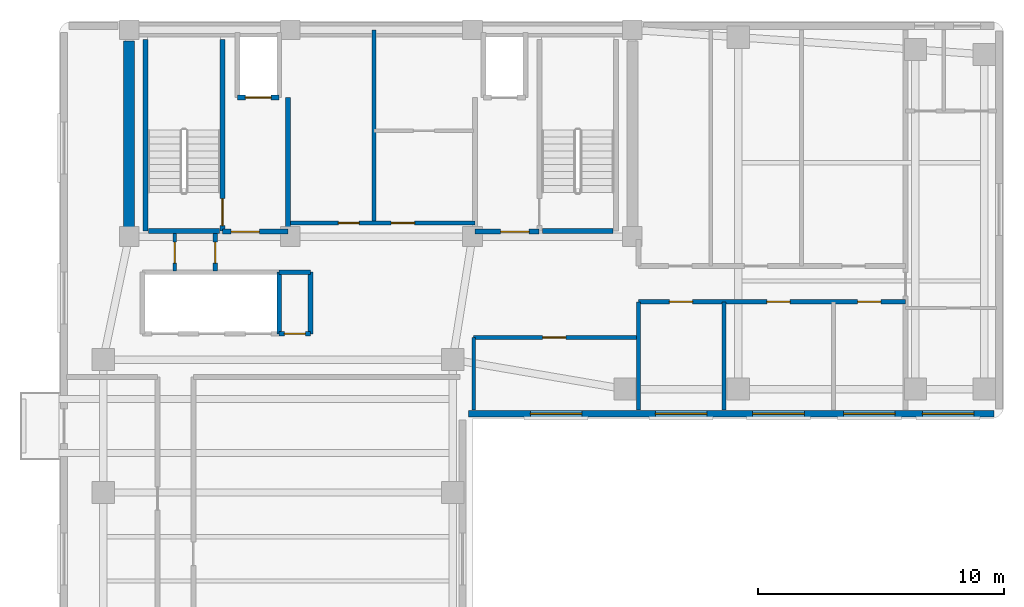
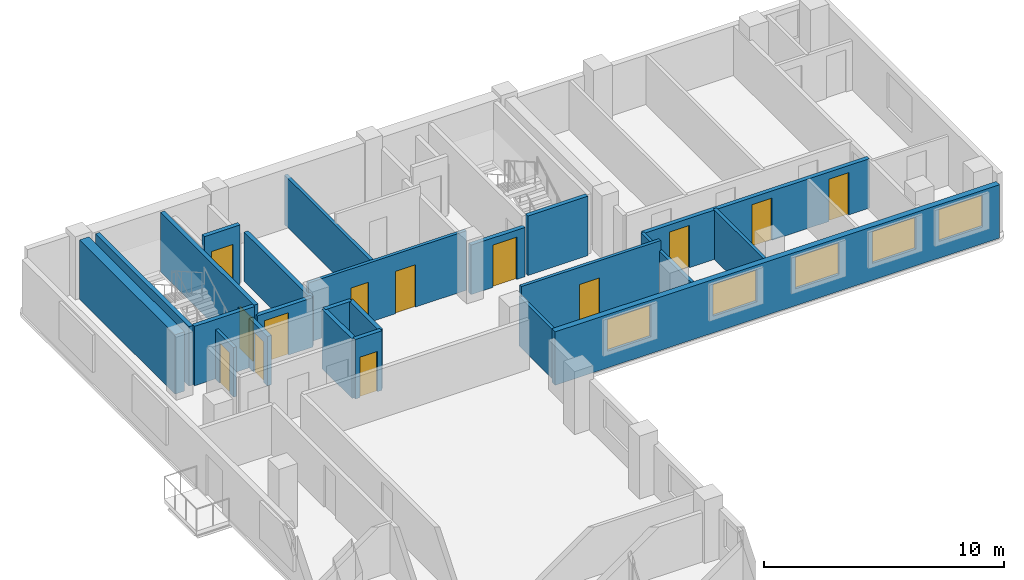
# One storey, part 3 of 7: 23 walls, 13 doors, 5 windows, 18 openings.
"""IFC4 building model written with IfcOpenShell, lengths in metres."""

from ifc_helpers import new_model, si_unit, direction, frame, frame_2d, origin, place, context, subcontext, project, spatial, rectangle, extrude, material, layer, layer_set, type_object, element, fill, save


model = new_model("IFC4")

# Units and contexts
model_context = context("Model", 3, precision=1e-05, world=origin(), true_north=direction((0.0, 1.0)))
body_context = subcontext(model_context, "Body", "Model", "MODEL_VIEW")
ifc_project = project(units=[si_unit("LENGTHUNIT", "METRE"), si_unit("AREAUNIT", "SQUARE_METRE"), si_unit("VOLUMEUNIT", "CUBIC_METRE"), si_unit("PLANEANGLEUNIT", "RADIAN"), si_unit("MASSUNIT", "GRAM", prefix="KILO")], contexts=[model_context])

# Site, building, storey
site_placement = place(None, origin())
site = spatial("IfcSite", under=ifc_project, at=site_placement, CompositionType="ELEMENT")
building_placement = place(site_placement, origin())
building = spatial("IfcBuilding", under=site, at=building_placement, Name="Kuzgunbayir Cultural Tower", CompositionType="ELEMENT")
storey_placement = place(building_placement, frame((0.0, 0.0, 192.0)))
storey = spatial("IfcBuildingStorey", under=building, at=storey_placement, Name="L56", CompositionType="ELEMENT", Elevation=192.0)

# Wall
ifc_material_1 = material(Name="Concrete C50/60", Category="concrete")
ifc_layer_1 = layer(ifc_material_1, 0.449951171875)
ifc_layer_set_1 = layer_set([ifc_layer_1], Name="Concrete C50/60")
wall_type_1 = type_object("IfcWallType", Name="WAL-CORE-450", PredefinedType="SHEAR", material=ifc_layer_set_1)
wall_1_placement = place(storey_placement, frame((6.449951171875, 33.800048828125, 0.0), z_axis=(0.0, 0.0, 1.0), x_axis=(0.0, 1.0, 0.0)))
element("IfcWall", 1, at=wall_1_placement, inside=storey, type_object=wall_type_1, Name="L56 T1 Core West Shear Wall", PredefinedType="SHEAR", context=body_context, shape_type="SweptSolid", body=[
    extrude(rectangle(XDim=7.949951171875, YDim=0.449951171875, at=frame_2d((3.97509765625, 0.0))), origin(), (0.0, 0.0, 1.0), 3.02001953125),
])

# Wall, openings, windows
ifc_material_2 = material(Name="Anatolian Cream Limestone", Category="masonry")
ifc_layer_2 = layer(ifc_material_2, 0.280029296875)
ifc_layer_set_2 = layer_set([ifc_layer_2], Name="Anatolian Cream Limestone")
wall_type_2 = type_object("IfcWallType", Name="WAL-EXT-STONE-280", PredefinedType="STANDARD", material=ifc_layer_set_2)
wall_2_placement = place(storey_placement, frame((20.25, 26.60009765625, 0.0), z_axis=(0.0, 0.0, 1.0), x_axis=(1.0, 0.0, 0.0)))
wall_2 = element("IfcWall", 2, at=wall_2_placement, inside=storey, type_object=wall_type_2, Name="L56 Wing B South Limestone Wall", PredefinedType="STANDARD", context=body_context, shape_type="SweptSolid", body=[
    extrude(rectangle(XDim=21.35009765625, YDim=0.280029296875, at=frame_2d((10.675048828125, 0.0))), origin(), (0.0, 0.0, 1.0), 2.7099609375),
])
opening_1_placement = place(wall_2_placement, frame((2.5, 0.0, 0.85009765625)))
opening_1 = element("IfcOpeningElement", 3, at=opening_1_placement, cuts=wall_2, Name="Opening WR-21", PredefinedType="OPENING", context=body_context, shape_type="SweptSolid", body=[
    extrude(rectangle(XDim=2.10009765625, YDim=1.610107421875, at=frame_2d((1.050048828125, 0.80517578125))), frame((0.0, 0.14990234375, 0.0), z_axis=(0.0, -1.0, 0.0), x_axis=(1.0, 0.0, 0.0)), (0.0, 0.0, 1.0), 0.300048828125),
])
opening_2_placement = place(wall_2_placement, frame((18.429931640625, 0.0, 0.85009765625)))
opening_2 = element("IfcOpeningElement", 4, at=opening_2_placement, cuts=wall_2, Name="Opening WR-21", PredefinedType="OPENING", context=body_context, shape_type="SweptSolid", body=[
    extrude(rectangle(XDim=2.10009765625, YDim=1.610107421875, at=frame_2d((1.050048828125, 0.80517578125))), frame((0.0, 0.14990234375, 0.0), z_axis=(0.0, -1.0, 0.0), x_axis=(1.0, 0.0, 0.0)), (0.0, 0.0, 1.0), 0.300048828125),
])
opening_3_placement = place(wall_2_placement, frame((7.580078125, 0.0, 0.85009765625)))
opening_3 = element("IfcOpeningElement", 5, at=opening_3_placement, cuts=wall_2, Name="Opening WR-21", PredefinedType="OPENING", context=body_context, shape_type="SweptSolid", body=[
    extrude(rectangle(XDim=2.10009765625, YDim=1.610107421875, at=frame_2d((1.050048828125, 0.80517578125))), frame((0.0, 0.14990234375, 0.0), z_axis=(0.0, -1.0, 0.0), x_axis=(1.0, 0.0, 0.0)), (0.0, 0.0, 1.0), 0.300048828125),
])
opening_4_placement = place(wall_2_placement, frame((11.5400390625, 0.0, 0.85009765625)))
opening_4 = element("IfcOpeningElement", 6, at=opening_4_placement, cuts=wall_2, Name="Opening WR-21", PredefinedType="OPENING", context=body_context, shape_type="SweptSolid", body=[
    extrude(rectangle(XDim=2.10009765625, YDim=1.610107421875, at=frame_2d((1.050048828125, 0.80517578125))), frame((0.0, 0.14990234375, 0.0), z_axis=(0.0, -1.0, 0.0), x_axis=(1.0, 0.0, 0.0)), (0.0, 0.0, 1.0), 0.300048828125),
])
opening_5_placement = place(wall_2_placement, frame((15.22998046875, 0.0, 0.85009765625)))
opening_5 = element("IfcOpeningElement", 7, at=opening_5_placement, cuts=wall_2, Name="Opening WR-21", PredefinedType="OPENING", context=body_context, shape_type="SweptSolid", body=[
    extrude(rectangle(XDim=2.10009765625, YDim=1.610107421875, at=frame_2d((1.050048828125, 0.80517578125))), frame((0.0, 0.14990234375, 0.0), z_axis=(0.0, -1.0, 0.0), x_axis=(1.0, 0.0, 0.0)), (0.0, 0.0, 1.0), 0.300048828125),
])
ifc_material_3 = material(Name="Solar-Control Triple Glazing", Category="glass")
window_type = type_object("IfcWindowType", Name="WIN-RESID-21", PartitioningType="SINGLE_PANEL", PredefinedType="WINDOW", material=ifc_material_3)
window_1_placement = place(opening_1_placement, origin())
window_1 = element("IfcWindow", 8, at=window_1_placement, inside=storey, type_object=window_type, Name="L56 WBS Facade Window 1", OverallHeight=1.610107421875, OverallWidth=2.10009765625, PartitioningType="SINGLE_PANEL", PredefinedType="WINDOW", context=body_context, shape_type="SweptSolid", body=[
    extrude(rectangle(XDim=2.10009765625, YDim=1.610107421875, at=frame_2d((1.050048828125, 0.80517578125))), frame((0.0, 0.030029296875, 0.0), z_axis=(0.0, -1.0, 0.0), x_axis=(1.0, 0.0, 0.0)), (0.0, 0.0, 1.0), 0.06005859375),
])
fill(opening_1, window_1)
window_2_placement = place(opening_2_placement, origin())
window_2 = element("IfcWindow", 9, at=window_2_placement, inside=storey, type_object=window_type, Name="L56 WBS Facade Window 7", OverallHeight=1.610107421875, OverallWidth=2.10009765625, PartitioningType="SINGLE_PANEL", PredefinedType="WINDOW", context=body_context, shape_type="SweptSolid", body=[
    extrude(rectangle(XDim=2.10009765625, YDim=1.610107421875, at=frame_2d((1.050048828125, 0.80517578125))), frame((0.0, 0.030029296875, 0.0), z_axis=(0.0, -1.0, 0.0), x_axis=(1.0, 0.0, 0.0)), (0.0, 0.0, 1.0), 0.06005859375),
])
fill(opening_2, window_2)
window_3_placement = place(opening_3_placement, origin())
window_3 = element("IfcWindow", 10, at=window_3_placement, inside=storey, type_object=window_type, Name="L56 WBS Facade Window 10", OverallHeight=1.610107421875, OverallWidth=2.10009765625, PartitioningType="SINGLE_PANEL", PredefinedType="WINDOW", context=body_context, shape_type="SweptSolid", body=[
    extrude(rectangle(XDim=2.10009765625, YDim=1.610107421875, at=frame_2d((1.050048828125, 0.80517578125))), frame((0.0, 0.030029296875, 0.0), z_axis=(0.0, -1.0, 0.0), x_axis=(1.0, 0.0, 0.0)), (0.0, 0.0, 1.0), 0.06005859375),
])
fill(opening_3, window_3)
window_4_placement = place(opening_4_placement, origin())
window_4 = element("IfcWindow", 11, at=window_4_placement, inside=storey, type_object=window_type, Name="L56 WBS Facade Window 11", OverallHeight=1.610107421875, OverallWidth=2.10009765625, PartitioningType="SINGLE_PANEL", PredefinedType="WINDOW", context=body_context, shape_type="SweptSolid", body=[
    extrude(rectangle(XDim=2.10009765625, YDim=1.610107421875, at=frame_2d((1.050048828125, 0.80517578125))), frame((0.0, 0.030029296875, 0.0), z_axis=(0.0, -1.0, 0.0), x_axis=(1.0, 0.0, 0.0)), (0.0, 0.0, 1.0), 0.06005859375),
])
fill(opening_4, window_4)
window_5_placement = place(opening_5_placement, origin())
window_5 = element("IfcWindow", 12, at=window_5_placement, inside=storey, type_object=window_type, Name="L56 WBS Facade Window 12", OverallHeight=1.610107421875, OverallWidth=2.10009765625, PartitioningType="SINGLE_PANEL", PredefinedType="WINDOW", context=body_context, shape_type="SweptSolid", body=[
    extrude(rectangle(XDim=2.10009765625, YDim=1.610107421875, at=frame_2d((1.050048828125, 0.80517578125))), frame((0.0, 0.030029296875, 0.0), z_axis=(0.0, -1.0, 0.0), x_axis=(1.0, 0.0, 0.0)), (0.0, 0.0, 1.0), 0.06005859375),
])
fill(opening_5, window_5)

# Wall, opening, door
ifc_material_4 = material(Name="Acoustic Double-Stud Drywall", Category="gypsum")
ifc_layer_3 = layer(ifc_material_4, 0.14990234375)
ifc_layer_set_3 = layer_set([ifc_layer_3], Name="Acoustic Double-Stud Drywall")
wall_type_3 = type_object("IfcWallType", Name="WAL-PART-ACOUSTIC-150", PredefinedType="PARTITIONING", material=ifc_layer_set_3)
wall_3_placement = place(storey_placement, frame((8.300048828125, 32.39990234375, 0.0), z_axis=(0.0, 0.0, 1.0), x_axis=(0.0, 1.0, 0.0)))
wall_3 = element("IfcWall", 13, at=wall_3_placement, inside=storey, type_object=wall_type_3, Name="L56 West Core Closet Divider", PredefinedType="PARTITIONING", context=body_context, shape_type="SweptSolid", body=[
    extrude(rectangle(XDim=1.52001953125, YDim=0.14990234375, at=frame_2d((0.760009765625, 0.0))), origin(), (0.0, 0.0, 1.0), 2.510009765625),
])
opening_6_placement = place(wall_3_placement, frame((0.320068359375, 0.0, 0.0)))
opening_6 = element("IfcOpeningElement", 14, at=opening_6_placement, cuts=wall_3, Name="Opening DR-RSR-60", PredefinedType="OPENING", context=body_context, shape_type="SweptSolid", body=[
    extrude(rectangle(XDim=0.85009765625, YDim=2.050048828125, at=frame_2d((0.425048828125, 1.02490234375))), frame((0.0, 0.0849609375, 0.0), z_axis=(0.0, -1.0, 0.0), x_axis=(1.0, 0.0, 0.0)), (0.0, 0.0, 1.0), 0.169921875),
])
ifc_material_5 = material(Name="Steel Access Leaf", Category="steel")
door_type_1 = type_object("IfcDoorType", Name="DR-RISER-60", OperationType="NOTDEFINED", PredefinedType="DOOR", material=ifc_material_5)
door_1_placement = place(opening_6_placement, origin())
door_1 = element("IfcDoor", 15, at=door_1_placement, inside=storey, type_object=door_type_1, Name="L56 Sub-Meter Closet Door", OperationType="SINGLE_SWING_LEFT", OverallHeight=2.050048828125, OverallWidth=0.85009765625, PredefinedType="DOOR", context=body_context, shape_type="SweptSolid", body=[
    extrude(rectangle(XDim=0.85009765625, YDim=2.050048828125, at=frame_2d((0.425048828125, 1.02490234375))), frame((0.0, 0.02490234375, 0.0), z_axis=(0.0, -1.0, 0.0), x_axis=(1.0, 0.0, 0.0)), (0.0, 0.0, 1.0), 0.050048828125),
])
fill(opening_6, door_1)

# Wall, openings, doors
wall_4_placement = place(storey_placement, frame((12.89990234375, 34.35009765625, 0.0), z_axis=(0.0, 0.0, 1.0), x_axis=(1.0, 0.0, 0.0)))
wall_4 = element("IfcWall", 16, at=wall_4_placement, inside=storey, type_object=wall_type_3, Name="L56 Sky Core South Wall", PredefinedType="PARTITIONING", context=body_context, shape_type="SweptSolid", body=[
    extrude(rectangle(XDim=7.60009765625, YDim=0.14990234375, at=frame_2d((3.800048828125, 0.0))), origin(), (0.0, 0.0, 1.0), 3.02001953125),
])
opening_7_placement = place(wall_4_placement, frame((2.050048828125, 0.0, 0.0)))
opening_7 = element("IfcOpeningElement", 17, at=opening_7_placement, cuts=wall_4, Name="Opening DC-85", PredefinedType="OPENING", context=body_context, shape_type="SweptSolid", body=[
    extrude(rectangle(XDim=0.85009765625, YDim=2.050048828125, at=frame_2d((0.425048828125, 1.02490234375))), frame((0.0, 0.0849609375, 0.0), z_axis=(0.0, -1.0, 0.0), x_axis=(1.0, 0.0, 0.0)), (0.0, 0.0, 1.0), 0.169921875),
])
opening_8_placement = place(wall_4_placement, frame((4.199951171875, 0.0, 0.0)))
opening_8 = element("IfcOpeningElement", 18, at=opening_8_placement, cuts=wall_4, Name="Opening DC-95", PredefinedType="OPENING", context=body_context, shape_type="SweptSolid", body=[
    extrude(rectangle(XDim=0.949951171875, YDim=2.14990234375, at=frame_2d((0.47509765625, 1.074951171875))), frame((0.0, 0.0849609375, 0.0), z_axis=(0.0, -1.0, 0.0), x_axis=(1.0, 0.0, 0.0)), (0.0, 0.0, 1.0), 0.169921875),
])
ifc_material_6 = material(Name="Fire-Rated Veneered Oak Leaf", Category="wood")
door_type_2 = type_object("IfcDoorType", Name="DR-CORE-85", OperationType="NOTDEFINED", PredefinedType="DOOR", material=ifc_material_6)
door_2_placement = place(opening_7_placement, origin())
door_2 = element("IfcDoor", 19, at=door_2_placement, inside=storey, type_object=door_type_2, Name="L56 Study Pod Door", OperationType="SINGLE_SWING_LEFT", OverallHeight=2.050048828125, OverallWidth=0.85009765625, PredefinedType="DOOR", context=body_context, shape_type="SweptSolid", body=[
    extrude(rectangle(XDim=0.85009765625, YDim=2.050048828125, at=frame_2d((0.425048828125, 1.02490234375))), frame((0.0, 0.02490234375, 0.0), z_axis=(0.0, -1.0, 0.0), x_axis=(1.0, 0.0, 0.0)), (0.0, 0.0, 1.0), 0.050048828125),
])
fill(opening_7, door_2)
door_type_3 = type_object("IfcDoorType", Name="DR-CORE-95", OperationType="NOTDEFINED", PredefinedType="DOOR", material=ifc_material_6)
door_3_placement = place(opening_8_placement, origin())
door_3 = element("IfcDoor", 20, at=door_3_placement, inside=storey, type_object=door_type_3, Name="L56 Tea Salon Door", OperationType="SINGLE_SWING_RIGHT", OverallHeight=2.14990234375, OverallWidth=0.949951171875, PredefinedType="DOOR", context=body_context, shape_type="SweptSolid", body=[
    extrude(rectangle(XDim=0.949951171875, YDim=2.14990234375, at=frame_2d((0.47509765625, 1.074951171875))), frame((0.0, 0.02490234375, 0.0), z_axis=(0.0, -1.0, 0.0), x_axis=(1.0, 0.0, 0.0)), (0.0, 0.0, 1.0), 0.050048828125),
])
fill(opening_8, door_3)

# Wall
wall_5_placement = place(storey_placement, frame((16.39990234375, 34.35009765625, 0.0), z_axis=(0.0, 0.0, 1.0), x_axis=(0.0, 1.0, 0.0)))
element("IfcWall", 21, at=wall_5_placement, inside=storey, type_object=wall_type_3, Name="L56 Sky Core Tri-Wall 1", PredefinedType="PARTITIONING", context=body_context, shape_type="SweptSolid", body=[
    extrude(rectangle(XDim=7.849853515625, YDim=0.14990234375, at=frame_2d((3.9248046875, 0.0))), origin(), (0.0, 0.0, 1.0), 2.510009765625),
])

# Wall, opening, door
wall_6_placement = place(storey_placement, frame((20.449951171875, 29.699951171875, 0.0), z_axis=(0.0, 0.0, 1.0), x_axis=(1.0, 0.0, 0.0)))
wall_6 = element("IfcWall", 22, at=wall_6_placement, inside=storey, type_object=wall_type_3, Name="L56 Waist Alcove North Wall", PredefinedType="PARTITIONING", context=body_context, shape_type="SweptSolid", body=[
    extrude(rectangle(XDim=6.699951171875, YDim=0.14990234375, at=frame_2d((3.35009765625, 0.0))), origin(), (0.0, 0.0, 1.0), 3.02001953125),
])
opening_9_placement = place(wall_6_placement, frame((2.800048828125, 0.0, 0.0)))
opening_9 = element("IfcOpeningElement", 23, at=opening_9_placement, cuts=wall_6, Name="Opening DI-90", PredefinedType="OPENING", context=body_context, shape_type="SweptSolid", body=[
    extrude(rectangle(XDim=0.949951171875, YDim=2.14990234375, at=frame_2d((0.47509765625, 1.074951171875))), frame((0.0, 0.0849609375, 0.0), z_axis=(0.0, -1.0, 0.0), x_axis=(1.0, 0.0, 0.0)), (0.0, 0.0, 1.0), 0.169921875),
])
ifc_material_7 = material(Name="Veneered Oak Single Leaf", Category="wood")
door_type_4 = type_object("IfcDoorType", Name="DR-INT-90", OperationType="NOTDEFINED", PredefinedType="DOOR", material=ifc_material_7)
door_4_placement = place(opening_9_placement, origin())
door_4 = element("IfcDoor", 24, at=door_4_placement, inside=storey, type_object=door_type_4, Name="L56 Waist Alcove Door", OperationType="SINGLE_SWING_RIGHT", OverallHeight=2.14990234375, OverallWidth=0.949951171875, PredefinedType="DOOR", context=body_context, shape_type="SweptSolid", body=[
    extrude(rectangle(XDim=0.949951171875, YDim=2.14990234375, at=frame_2d((0.47509765625, 1.074951171875))), frame((0.0, 0.02490234375, 0.0), z_axis=(0.0, -1.0, 0.0), x_axis=(1.0, 0.0, 0.0)), (0.0, 0.0, 1.0), 0.050048828125),
])
fill(opening_9, door_4)

# Walls
wall_7_placement = place(storey_placement, frame((20.449951171875, 26.75, 0.0), z_axis=(0.0, 0.0, 1.0), x_axis=(0.0, 1.0, 0.0)))
element("IfcWall", 25, at=wall_7_placement, inside=storey, type_object=wall_type_3, Name="L56 Waist Alcove West Wall", PredefinedType="PARTITIONING", context=body_context, shape_type="SweptSolid", body=[
    extrude(rectangle(XDim=2.949951171875, YDim=0.14990234375, at=frame_2d((1.47509765625, 0.0))), origin(), (0.0, 0.0, 1.0), 2.510009765625),
])
for number, where, z_axis, x_axis, name in (
    (26, (27.14990234375, 26.75, 0.0), (0.0, 0.0, 1.0), (0.0, 1.0, 0.0), "L56 Waist Alcove East Wall"),
    (27, (30.6201171875, 26.75, 0.0), (0.0, 0.0, 1.0), (0.0, 1.0, 0.0), "L56 Wing B South Divider 1"),
):
    element("IfcWall", number, at=place(storey_placement, frame(where, z_axis=z_axis, x_axis=x_axis)), inside=storey, type_object=wall_type_3, Name=name, PredefinedType="PARTITIONING", context=body_context, shape_type="SweptSolid", body=[
        extrude(rectangle(XDim=4.39990234375, YDim=0.14990234375, at=frame_2d((2.199951171875, 0.0))), origin(), (0.0, 0.0, 1.0), 2.510009765625),
    ])
ifc_material_8 = material(Name="Aerated Concrete Blockwork", Category="masonry")
ifc_layer_4 = layer(ifc_material_8, 0.199951171875)
ifc_layer_set_4 = layer_set([ifc_layer_4], Name="Aerated Concrete Blockwork")
wall_type_4 = type_object("IfcWallType", Name="WAL-PART-FIRE-200", PredefinedType="PARTITIONING", material=ifc_layer_set_4)
wall_8_placement = place(storey_placement, frame((12.89990234375, 34.0, 0.0), z_axis=(0.0, 0.0, 1.0), x_axis=(0.0, 1.0, 0.0)))
element("IfcWall", 28, at=wall_8_placement, inside=storey, type_object=wall_type_4, Name="L56 FFL-1 Lobby East Fire Wall", PredefinedType="PARTITIONING", context=body_context, shape_type="SweptSolid", body=[
    extrude(rectangle(XDim=5.449951171875, YDim=0.199951171875, at=frame_2d((2.72509765625, 0.0))), origin(), (0.0, 0.0, 1.0), 2.510009765625),
])

# Wall, opening, door
wall_9_placement = place(storey_placement, frame((10.239990234375, 34.0, 0.0), z_axis=(0.0, 0.0, 1.0), x_axis=(1.0, 0.0, 0.0)))
wall_9 = element("IfcWall", 29, at=wall_9_placement, inside=storey, type_object=wall_type_4, Name="L56 FFL-1 Lobby South Fire Wall", PredefinedType="PARTITIONING", context=body_context, shape_type="SweptSolid", body=[
    extrude(rectangle(XDim=2.659912109375, YDim=0.199951171875, at=frame_2d((1.330078125, 0.0))), origin(), (0.0, 0.0, 1.0), 2.510009765625),
])
opening_10_placement = place(wall_9_placement, frame((0.35009765625, 0.0, 0.0)))
opening_10 = element("IfcOpeningElement", 30, at=opening_10_placement, cuts=wall_9, Name="Opening DR-FFL-90", PredefinedType="OPENING", context=body_context, shape_type="SweptSolid", body=[
    extrude(rectangle(XDim=1.14990234375, YDim=2.14990234375, at=frame_2d((0.574951171875, 1.074951171875))), frame((0.0, 0.10986328125, 0.0), z_axis=(0.0, -1.0, 0.0), x_axis=(1.0, 0.0, 0.0)), (0.0, 0.0, 1.0), 0.219970703125),
])
ifc_material_9 = material(Name="Steel S355J2", Category="steel")
door_type_5 = type_object("IfcDoorType", Name="DR-FFL-90", OperationType="NOTDEFINED", PredefinedType="DOOR", material=ifc_material_9)
door_5_placement = place(opening_10_placement, origin())
door_5 = element("IfcDoor", 31, at=door_5_placement, inside=storey, type_object=door_type_5, Name="L56 Firefighting Lobby 1 Door", OperationType="SINGLE_SWING_RIGHT", OverallHeight=2.14990234375, OverallWidth=1.14990234375, PredefinedType="DOOR", context=body_context, shape_type="SweptSolid", body=[
    extrude(rectangle(XDim=1.14990234375, YDim=2.14990234375, at=frame_2d((0.574951171875, 1.074951171875))), frame((0.0, 0.02490234375, 0.0), z_axis=(0.0, -1.0, 0.0), x_axis=(1.0, 0.0, 0.0)), (0.0, 0.0, 1.0), 0.050048828125),
])
fill(opening_10, door_5)

wall_10_placement = place(storey_placement, frame((20.5, 34.0, 0.0), z_axis=(0.0, 0.0, 1.0), x_axis=(1.0, 0.0, 0.0)))
wall_10 = element("IfcWall", 32, at=wall_10_placement, inside=storey, type_object=wall_type_4, Name="L56 FFL-2 Lobby South Fire Wall", PredefinedType="PARTITIONING", context=body_context, shape_type="SweptSolid", body=[
    extrude(rectangle(XDim=2.60009765625, YDim=0.199951171875, at=frame_2d((1.300048828125, 0.0))), origin(), (0.0, 0.0, 1.0), 2.510009765625),
])
opening_11_placement = place(wall_10_placement, frame((1.050048828125, 0.0, 0.0)))
opening_11 = element("IfcOpeningElement", 33, at=opening_11_placement, cuts=wall_10, Name="Opening DR-FFL-90", PredefinedType="OPENING", context=body_context, shape_type="SweptSolid", body=[
    extrude(rectangle(XDim=1.14990234375, YDim=2.14990234375, at=frame_2d((0.574951171875, 1.074951171875))), frame((0.0, 0.10986328125, 0.0), z_axis=(0.0, -1.0, 0.0), x_axis=(1.0, 0.0, 0.0)), (0.0, 0.0, 1.0), 0.219970703125),
])
door_6_placement = place(opening_11_placement, origin())
door_6 = element("IfcDoor", 34, at=door_6_placement, inside=storey, type_object=door_type_5, Name="L56 Firefighting Lobby 2 Door", OperationType="SINGLE_SWING_LEFT", OverallHeight=2.14990234375, OverallWidth=1.14990234375, PredefinedType="DOOR", context=body_context, shape_type="SweptSolid", body=[
    extrude(rectangle(XDim=1.14990234375, YDim=2.14990234375, at=frame_2d((0.574951171875, 1.074951171875))), frame((0.0, 0.02490234375, 0.0), z_axis=(0.0, -1.0, 0.0), x_axis=(1.0, 0.0, 0.0)), (0.0, 0.0, 1.0), 0.050048828125),
])
fill(opening_11, door_6)

wall_11_placement = place(storey_placement, frame((9.949951171875, 32.39990234375, 0.0), z_axis=(0.0, 0.0, 1.0), x_axis=(0.0, 1.0, 0.0)))
wall_11 = element("IfcWall", 35, at=wall_11_placement, inside=storey, type_object=wall_type_4, Name="L56 West Core Service Closet Wall", PredefinedType="PARTITIONING", context=body_context, shape_type="SweptSolid", body=[
    extrude(rectangle(XDim=1.52001953125, YDim=0.199951171875, at=frame_2d((0.760009765625, 0.0))), origin(), (0.0, 0.0, 1.0), 2.510009765625),
])
opening_12_placement = place(wall_11_placement, frame((0.320068359375, 0.0, 0.0)))
opening_12 = element("IfcOpeningElement", 36, at=opening_12_placement, cuts=wall_11, Name="Opening DR-RSR-60", PredefinedType="OPENING", context=body_context, shape_type="SweptSolid", body=[
    extrude(rectangle(XDim=0.85009765625, YDim=2.050048828125, at=frame_2d((0.425048828125, 1.02490234375))), frame((0.0, 0.10986328125, 0.0), z_axis=(0.0, -1.0, 0.0), x_axis=(1.0, 0.0, 0.0)), (0.0, 0.0, 1.0), 0.219970703125),
])
door_7_placement = place(opening_12_placement, origin())
door_7 = element("IfcDoor", 37, at=door_7_placement, inside=storey, type_object=door_type_1, Name="L56 Cleaner Store Door", OperationType="SINGLE_SWING_RIGHT", OverallHeight=2.050048828125, OverallWidth=0.85009765625, PredefinedType="DOOR", context=body_context, shape_type="SweptSolid", body=[
    extrude(rectangle(XDim=0.85009765625, YDim=2.050048828125, at=frame_2d((0.425048828125, 1.02490234375))), frame((0.0, 0.02490234375, 0.0), z_axis=(0.0, -1.0, 0.0), x_axis=(1.0, 0.0, 0.0)), (0.0, 0.0, 1.0), 0.050048828125),
])
fill(opening_12, door_7)

wall_12_placement = place(storey_placement, frame((12.550048828125, 29.85009765625, 0.0), z_axis=(0.0, 0.0, 1.0), x_axis=(1.0, 0.0, 0.0)))
wall_12 = element("IfcWall", 38, at=wall_12_placement, inside=storey, type_object=wall_type_4, Name="L56 Center Core Switchgear South Wall", PredefinedType="PARTITIONING", context=body_context, shape_type="SweptSolid", body=[
    extrude(rectangle(XDim=1.27001953125, YDim=0.199951171875, at=frame_2d((0.635009765625, 0.0))), origin(), (0.0, 0.0, 1.0), 3.02001953125),
])
opening_13_placement = place(wall_12_placement, frame((0.2099609375, 0.0, 0.0)))
opening_13 = element("IfcOpeningElement", 39, at=opening_13_placement, cuts=wall_12, Name="Opening DR-RSR-60", PredefinedType="OPENING", context=body_context, shape_type="SweptSolid", body=[
    extrude(rectangle(XDim=0.85009765625, YDim=2.050048828125, at=frame_2d((0.425048828125, 1.02490234375))), frame((0.0, 0.10986328125, 0.0), z_axis=(0.0, -1.0, 0.0), x_axis=(1.0, 0.0, 0.0)), (0.0, 0.0, 1.0), 0.219970703125),
])
door_8_placement = place(opening_13_placement, origin())
door_8 = element("IfcDoor", 40, at=door_8_placement, inside=storey, type_object=door_type_1, Name="L56 Telecom Closet Door", OperationType="SINGLE_SWING_RIGHT", OverallHeight=2.050048828125, OverallWidth=0.85009765625, PredefinedType="DOOR", context=body_context, shape_type="SweptSolid", body=[
    extrude(rectangle(XDim=0.85009765625, YDim=2.050048828125, at=frame_2d((0.425048828125, 1.02490234375))), frame((0.0, 0.02490234375, 0.0), z_axis=(0.0, -1.0, 0.0), x_axis=(1.0, 0.0, 0.0)), (0.0, 0.0, 1.0), 0.050048828125),
])
fill(opening_13, door_8)

# Walls
wall_13_placement = place(storey_placement, frame((13.820068359375, 29.85009765625, 0.0), z_axis=(0.0, 0.0, 1.0), x_axis=(0.0, 1.0, 0.0)))
element("IfcWall", 41, at=wall_13_placement, inside=storey, type_object=wall_type_4, Name="L56 Center Core Switchgear East Wall", PredefinedType="PARTITIONING", context=body_context, shape_type="SweptSolid", body=[
    extrude(rectangle(XDim=2.5, YDim=0.199951171875, at=frame_2d((1.25, 0.0))), origin(), (0.0, 0.0, 1.0), 3.02001953125),
])
wall_14_placement = place(storey_placement, frame((12.550048828125, 32.35009765625, 0.0), z_axis=(0.0, 0.0, 1.0), x_axis=(1.0, 0.0, 0.0)))
element("IfcWall", 42, at=wall_14_placement, inside=storey, type_object=wall_type_4, Name="L56 Center Core Switchgear North Wall", PredefinedType="PARTITIONING", context=body_context, shape_type="SweptSolid", body=[
    extrude(rectangle(XDim=1.27001953125, YDim=0.199951171875, at=frame_2d((0.635009765625, 0.0))), origin(), (0.0, 0.0, 1.0), 3.02001953125),
])

# Wall, openings, doors
wall_15_placement = place(storey_placement, frame((27.14990234375, 31.14990234375, 0.0), z_axis=(0.0, 0.0, 1.0), x_axis=(1.0, 0.0, 0.0)))
wall_15 = element("IfcWall", 43, at=wall_15_placement, inside=storey, type_object=wall_type_4, Name="L56 Wing B Residence Corridor South Wall", PredefinedType="PARTITIONING", context=body_context, shape_type="SweptSolid", body=[
    extrude(rectangle(XDim=10.85009765625, YDim=0.199951171875, at=frame_2d((5.425048828125, 0.0))), origin(), (0.0, 0.0, 1.0), 2.510009765625),
])
opening_14_placement = place(wall_15_placement, frame((1.25, 0.0, 0.0)))
opening_14 = element("IfcOpeningElement", 44, at=opening_14_placement, cuts=wall_15, Name="Opening DI-90", PredefinedType="OPENING", context=body_context, shape_type="SweptSolid", body=[
    extrude(rectangle(XDim=0.949951171875, YDim=2.14990234375, at=frame_2d((0.47509765625, 1.074951171875))), frame((0.0, 0.10986328125, 0.0), z_axis=(0.0, -1.0, 0.0), x_axis=(1.0, 0.0, 0.0)), (0.0, 0.0, 1.0), 0.219970703125),
])
opening_15_placement = place(wall_15_placement, frame((5.2099609375, 0.0, 0.0)))
opening_15 = element("IfcOpeningElement", 45, at=opening_15_placement, cuts=wall_15, Name="Opening DI-90", PredefinedType="OPENING", context=body_context, shape_type="SweptSolid", body=[
    extrude(rectangle(XDim=0.949951171875, YDim=2.14990234375, at=frame_2d((0.47509765625, 1.074951171875))), frame((0.0, 0.10986328125, 0.0), z_axis=(0.0, -1.0, 0.0), x_axis=(1.0, 0.0, 0.0)), (0.0, 0.0, 1.0), 0.219970703125),
])
opening_16_placement = place(wall_15_placement, frame((8.89990234375, 0.0, 0.0)))
opening_16 = element("IfcOpeningElement", 46, at=opening_16_placement, cuts=wall_15, Name="Opening DI-90", PredefinedType="OPENING", context=body_context, shape_type="SweptSolid", body=[
    extrude(rectangle(XDim=0.949951171875, YDim=2.14990234375, at=frame_2d((0.47509765625, 1.074951171875))), frame((0.0, 0.10986328125, 0.0), z_axis=(0.0, -1.0, 0.0), x_axis=(1.0, 0.0, 0.0)), (0.0, 0.0, 1.0), 0.219970703125),
])
door_9_placement = place(opening_14_placement, origin())
door_9 = element("IfcDoor", 47, at=door_9_placement, inside=storey, type_object=door_type_4, Name="L56 Wing B Wellness Consultation Studio 1 Door", OperationType="SINGLE_SWING_LEFT", OverallHeight=2.14990234375, OverallWidth=0.949951171875, PredefinedType="DOOR", context=body_context, shape_type="SweptSolid", body=[
    extrude(rectangle(XDim=0.949951171875, YDim=2.14990234375, at=frame_2d((0.47509765625, 1.074951171875))), frame((0.0, 0.02490234375, 0.0), z_axis=(0.0, -1.0, 0.0), x_axis=(1.0, 0.0, 0.0)), (0.0, 0.0, 1.0), 0.050048828125),
])
fill(opening_14, door_9)
door_10_placement = place(opening_15_placement, origin())
door_10 = element("IfcDoor", 48, at=door_10_placement, inside=storey, type_object=door_type_4, Name="L56 Wing B Wellness Consultation Studio 2 Door", OperationType="SINGLE_SWING_RIGHT", OverallHeight=2.14990234375, OverallWidth=0.949951171875, PredefinedType="DOOR", context=body_context, shape_type="SweptSolid", body=[
    extrude(rectangle(XDim=0.949951171875, YDim=2.14990234375, at=frame_2d((0.47509765625, 1.074951171875))), frame((0.0, 0.02490234375, 0.0), z_axis=(0.0, -1.0, 0.0), x_axis=(1.0, 0.0, 0.0)), (0.0, 0.0, 1.0), 0.050048828125),
])
fill(opening_15, door_10)
door_11_placement = place(opening_16_placement, origin())
door_11 = element("IfcDoor", 49, at=door_11_placement, inside=storey, type_object=door_type_4, Name="L56 Wing B Wellness Consultation Studio 3 Door", OperationType="SINGLE_SWING_LEFT", OverallHeight=2.14990234375, OverallWidth=0.949951171875, PredefinedType="DOOR", context=body_context, shape_type="SweptSolid", body=[
    extrude(rectangle(XDim=0.949951171875, YDim=2.14990234375, at=frame_2d((0.47509765625, 1.074951171875))), frame((0.0, 0.02490234375, 0.0), z_axis=(0.0, -1.0, 0.0), x_axis=(1.0, 0.0, 0.0)), (0.0, 0.0, 1.0), 0.050048828125),
])
fill(opening_16, door_11)

# Wall
ifc_material_10 = material(Name="Concrete C40/50", Category="concrete")
ifc_layer_5 = layer(ifc_material_10, 0.199951171875)
ifc_layer_set_5 = layer_set([ifc_layer_5], Name="Concrete C40/50")
wall_type_5 = type_object("IfcWallType", Name="WAL-SHAFT-200", PredefinedType="MOVABLE", material=ifc_layer_set_5)
wall_16_placement = place(storey_placement, frame((12.550048828125, 29.85009765625, 0.0), z_axis=(0.0, 0.0, 1.0), x_axis=(0.0, 1.0, 0.0)))
element("IfcWall", 50, at=wall_16_placement, inside=storey, type_object=wall_type_5, Name="L56 High-Rise Lift Shaft East Wall", PredefinedType="MOVABLE", context=body_context, shape_type="SweptSolid", body=[
    extrude(rectangle(XDim=2.5, YDim=0.199951171875, at=frame_2d((1.25, 0.0))), origin(), (0.0, 0.0, 1.0), 3.02001953125),
])

# Wall, opening, door
wall_17_placement = place(storey_placement, frame((10.85009765625, 39.449951171875, 0.0), z_axis=(0.0, 0.0, 1.0), x_axis=(1.0, 0.0, 0.0)))
wall_17 = element("IfcWall", 51, at=wall_17_placement, inside=storey, type_object=wall_type_5, Name="L56 FFL-1 Lift Front Wall", PredefinedType="MOVABLE", context=body_context, shape_type="SweptSolid", body=[
    extrude(rectangle(XDim=1.699951171875, YDim=0.199951171875, at=frame_2d((0.85009765625, 0.0))), origin(), (0.0, 0.0, 1.0), 3.02001953125),
])
opening_17_placement = place(wall_17_placement, frame((0.320068359375, 0.0, 0.0)))
opening_17 = element("IfcOpeningElement", 52, at=opening_17_placement, cuts=wall_17, Name="Opening LD", PredefinedType="OPENING", context=body_context, shape_type="SweptSolid", body=[
    extrude(rectangle(XDim=1.050048828125, YDim=2.14990234375, at=frame_2d((0.52490234375, 1.074951171875))), frame((0.0, 0.10986328125, 0.0), z_axis=(0.0, -1.0, 0.0), x_axis=(1.0, 0.0, 0.0)), (0.0, 0.0, 1.0), 0.219970703125),
])
ifc_material_11 = material(Name="Brushed Stainless Steel", Category="steel")
door_type_6 = type_object("IfcDoorType", Name="DR-LIFT-LANDING", OperationType="SLIDING_TO_LEFT", PredefinedType="DOOR", material=ifc_material_11)
door_12_placement = place(opening_17_placement, origin())
door_12 = element("IfcDoor", 53, at=door_12_placement, inside=storey, type_object=door_type_6, Name="L56 Lift FFL-1 Landing Door", OperationType="SLIDING_TO_LEFT", OverallHeight=2.14990234375, OverallWidth=1.050048828125, PredefinedType="DOOR", context=body_context, shape_type="SweptSolid", body=[
    extrude(rectangle(XDim=1.050048828125, YDim=2.14990234375, at=frame_2d((0.52490234375, 1.074951171875))), frame((0.0, 0.02490234375, 0.0), z_axis=(0.0, -1.0, 0.0), x_axis=(1.0, 0.0, 0.0)), (0.0, 0.0, 1.0), 0.050048828125),
])
fill(opening_17, door_12)

# Wall
ifc_layer_6 = layer(ifc_material_10, 0.199951171875)
ifc_layer_set_6 = layer_set([ifc_layer_6], Name="Concrete C40/50")
wall_type_6 = type_object("IfcWallType", Name="WAL-STAIR-RC-200", PredefinedType="SHEAR", material=ifc_layer_set_6)
wall_18_placement = place(storey_placement, frame((7.1201171875, 34.02001953125, 0.0), z_axis=(0.0, 0.0, 1.0), x_axis=(0.0, 1.0, 0.0)))
element("IfcWall", 54, at=wall_18_placement, inside=storey, type_object=wall_type_6, Name="L56 Stair ST-1 West Structural Wall", PredefinedType="SHEAR", context=body_context, shape_type="SweptSolid", body=[
    extrude(rectangle(XDim=7.780029296875, YDim=0.199951171875, at=frame_2d((3.89013671875, 0.0))), origin(), (0.0, 0.0, 1.0), 3.02001953125),
])

# Wall, opening, door
wall_19_placement = place(storey_placement, frame((10.239990234375, 34.02001953125, 0.0), z_axis=(0.0, 0.0, 1.0), x_axis=(0.0, 1.0, 0.0)))
wall_19 = element("IfcWall", 55, at=wall_19_placement, inside=storey, type_object=wall_type_6, Name="L56 Stair ST-1 East Structural Wall", PredefinedType="SHEAR", context=body_context, shape_type="SweptSolid", body=[
    extrude(rectangle(XDim=7.780029296875, YDim=0.199951171875, at=frame_2d((3.89013671875, 0.0))), origin(), (0.0, 0.0, 1.0), 3.02001953125),
])
opening_18_placement = place(wall_19_placement, frame((0.219970703125, 0.0, 0.0)))
opening_18 = element("IfcOpeningElement", 56, at=opening_18_placement, cuts=wall_19, Name="Opening DR-STAIR-90", PredefinedType="OPENING", context=body_context, shape_type="SweptSolid", body=[
    extrude(rectangle(XDim=1.10009765625, YDim=2.14990234375, at=frame_2d((0.550048828125, 1.074951171875))), frame((0.0, 0.10986328125, 0.0), z_axis=(0.0, -1.0, 0.0), x_axis=(1.0, 0.0, 0.0)), (0.0, 0.0, 1.0), 0.219970703125),
])
door_type_7 = type_object("IfcDoorType", Name="DR-STAIR-90", OperationType="NOTDEFINED", PredefinedType="DOOR", material=ifc_material_9)
door_13_placement = place(opening_18_placement, origin())
door_13 = element("IfcDoor", 57, at=door_13_placement, inside=storey, type_object=door_type_7, Name="L56 Stair ST-1 Fire Door", OperationType="SINGLE_SWING_RIGHT", OverallHeight=2.14990234375, OverallWidth=1.10009765625, PredefinedType="DOOR", context=body_context, shape_type="SweptSolid", body=[
    extrude(rectangle(XDim=1.10009765625, YDim=2.14990234375, at=frame_2d((0.550048828125, 1.074951171875))), frame((0.0, 0.02490234375, 0.0), z_axis=(0.0, -1.0, 0.0), x_axis=(1.0, 0.0, 0.0)), (0.0, 0.0, 1.0), 0.050048828125),
])
fill(opening_18, door_13)

# Walls
for number, where, z_axis, x_axis, name in (
    (58, (7.239990234375, 34.02001953125, 0.0), (0.0, 0.0, 1.0), (1.0, 0.0, 0.0), "L56 Stair ST-1 South Structural Wall"),
    (59, (23.239990234375, 34.02001953125, 0.0), (0.0, 0.0, 1.0), (1.0, 0.0, 0.0), "L56 Stair ST-2 South Structural Wall"),
):
    element("IfcWall", number, at=place(storey_placement, frame(where, z_axis=z_axis, x_axis=x_axis)), inside=storey, type_object=wall_type_6, Name=name, PredefinedType="SHEAR", context=body_context, shape_type="SweptSolid", body=[
        extrude(rectangle(XDim=2.880126953125, YDim=0.199951171875, at=frame_2d((1.43994140625, 0.0))), origin(), (0.0, 0.0, 1.0), 3.02001953125),
    ])

save(model, "model.ifc")
